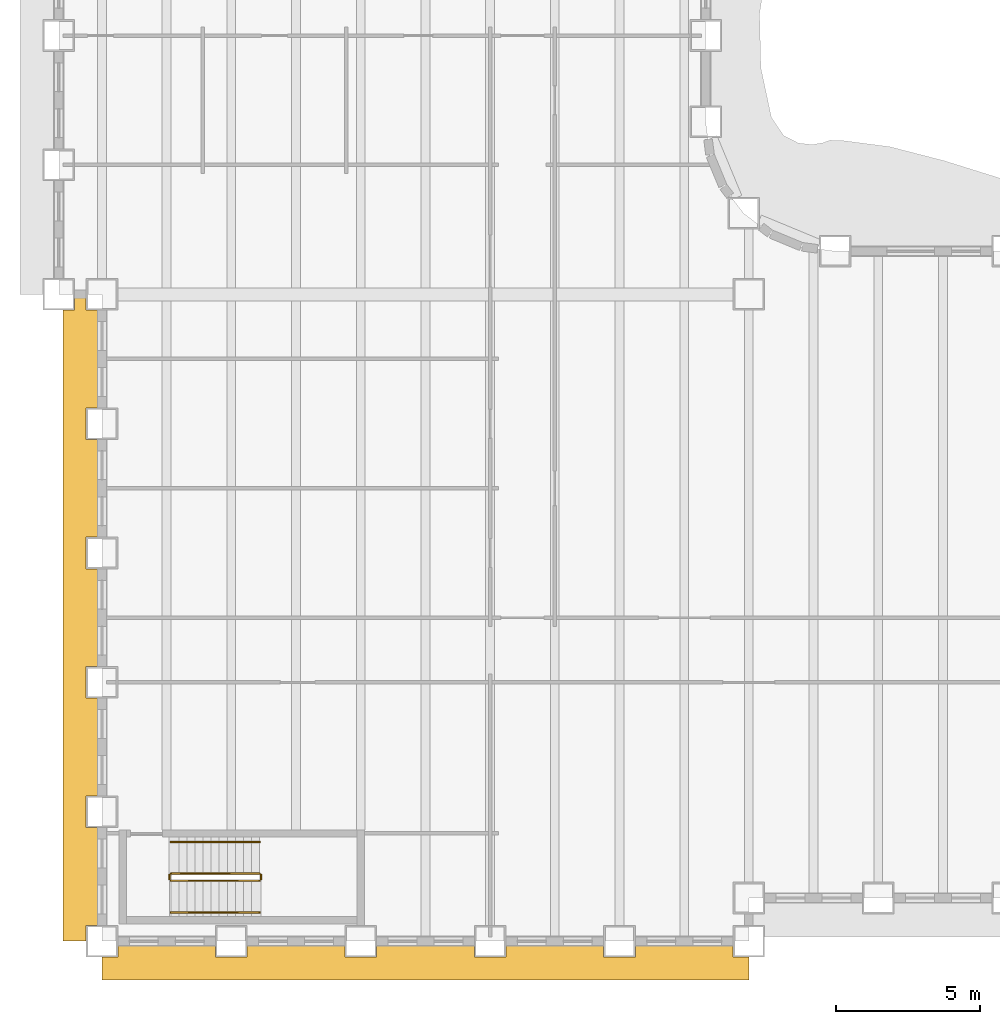
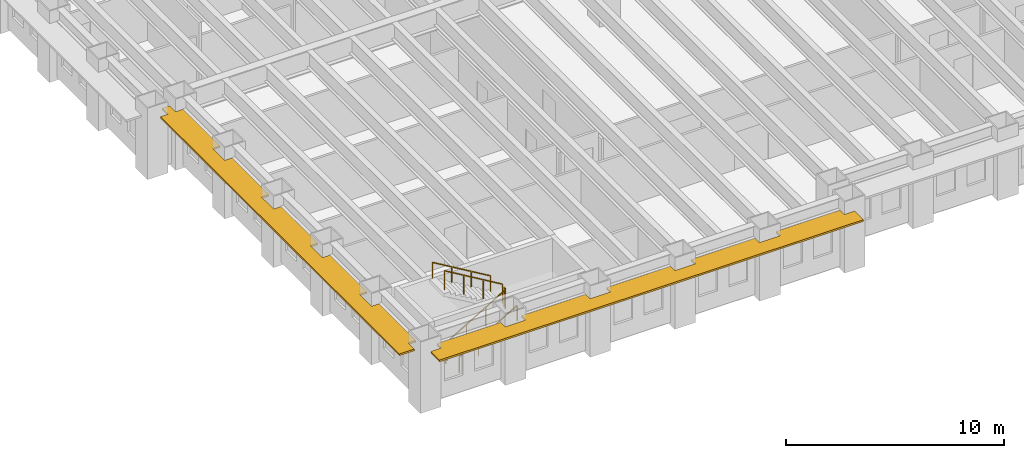
# One storey, part 10 of 15: 6 railings, 2 shading devices.
"""IFC4 building model written with IfcOpenShell, lengths in metres."""

from ifc_helpers import new_model, si_unit, direction, frame, origin, origin_2d, place, context, subcontext, project, spatial, polyline, rectangle, outline, extrude, material, layer, layer_set, type_object, element, save


model = new_model("IFC4")

# Units and contexts
model_context = context("Model", 3, precision=1e-05, world=origin(), true_north=direction((0.0, 1.0)))
body_context = subcontext(model_context, "Body", "Model", "MODEL_VIEW")
ifc_project = project(units=[si_unit("LENGTHUNIT", "METRE"), si_unit("AREAUNIT", "SQUARE_METRE"), si_unit("VOLUMEUNIT", "CUBIC_METRE"), si_unit("PLANEANGLEUNIT", "RADIAN"), si_unit("MASSUNIT", "GRAM", prefix="KILO")], contexts=[model_context])

# Site, building, storey
site_placement = place(None, origin())
site = spatial("IfcSite", under=ifc_project, at=site_placement, CompositionType="ELEMENT")
building_placement = place(site_placement, origin())
building = spatial("IfcBuilding", under=site, at=building_placement, Name="Sennacour Bend Tower", CompositionType="ELEMENT")
storey_placement = place(building_placement, frame((0.0, 0.0, 65.0)))
storey = spatial("IfcBuildingStorey", under=building, at=storey_placement, Name="L14", CompositionType="ELEMENT", Elevation=65.0)

# Railings
ifc_material_1 = material(Name="Stainless steel", Category="steel")
railing_type_1 = type_object("IfcRailingType", Name="RL-GUARD-1100", PredefinedType="GUARDRAIL", material=ifc_material_1)
railing_1_placement = place(storey_placement, frame((2.39990234375, 2.10009765625, 0.166748046875)))
element("IfcRailing", 1, at=railing_1_placement, inside=storey, type_object=railing_type_1, Name="L14 SK1 stair guard 1", PredefinedType="GUARDRAIL", context=body_context, shape_type="SweptSolid", body=[
    extrude(rectangle(XDim=0.048095703125, YDim=0.048095703125, at=origin_2d()), frame((0.0, 0.0, 1.076171875), z_axis=(0.859308565015, 0.0, 0.511457515432), x_axis=(0.0, 1.0, 0.0)), (0.0, 0.0, 1.0), 3.58447265625),
    extrude(rectangle(XDim=0.0419921875, YDim=0.0419921875, at=origin_2d()), origin(), (0.0, 0.0, 1.0), 1.052001953125),
    extrude(rectangle(XDim=0.0419921875, YDim=0.0419921875, at=origin_2d()), frame((1.026611328125, 0.0, 0.611083984375)), (0.0, 0.0, 1.0), 1.052001953125),
    extrude(rectangle(XDim=0.0419921875, YDim=0.0419921875, at=origin_2d()), frame((2.053466796875, 0.0, 1.22216796875)), (0.0, 0.0, 1.0), 1.052001953125),
    extrude(rectangle(XDim=0.0419921875, YDim=0.0419921875, at=origin_2d()), frame((3.080078125, 0.0, 1.833251953125)), (0.0, 0.0, 1.0), 1.052001953125),
])
railing_2_placement = place(storey_placement, frame((5.530029296875, 2.14990234375, 2.0)))
element("IfcRailing", 2, at=railing_2_placement, inside=storey, type_object=railing_type_1, Name="L14 SK1 stair guard 2", PredefinedType="GUARDRAIL", context=body_context, shape_type="SweptSolid", body=[
    extrude(rectangle(XDim=0.048095703125, YDim=0.048095703125, at=origin_2d()), frame((0.0, 0.0, 1.076171875), z_axis=(0.0, 1.0, 0.0), x_axis=(-1.0, 0.0, 0.0)), (0.0, 0.0, 1.0), 0.150146484375),
    extrude(rectangle(XDim=0.0419921875, YDim=0.0419921875, at=origin_2d()), origin(), (0.0, 0.0, 1.0), 1.052001953125),
    extrude(rectangle(XDim=0.0419921875, YDim=0.0419921875, at=origin_2d()), frame((0.0, 0.150146484375, 0.0)), (0.0, 0.0, 1.0), 1.052001953125),
])
railing_3_placement = place(storey_placement, frame((5.47998046875, 2.35009765625, 2.166748046875)))
element("IfcRailing", 3, at=railing_3_placement, inside=storey, type_object=railing_type_1, Name="L14 SK1 stair guard 3", PredefinedType="GUARDRAIL", context=body_context, shape_type="SweptSolid", body=[
    extrude(rectangle(XDim=0.048095703125, YDim=0.048095703125, at=origin_2d()), frame((0.0, 0.0, 1.076171875), z_axis=(-0.859308565015, 0.0, 0.511457515432), x_axis=(0.0, -1.0, 0.0)), (0.0, 0.0, 1.0), 3.58447265625),
    extrude(rectangle(XDim=0.0419921875, YDim=0.0419921875, at=origin_2d()), origin(), (0.0, 0.0, 1.0), 1.052001953125),
    extrude(rectangle(XDim=0.0419921875, YDim=0.0419921875, at=origin_2d()), frame((-1.026611328125, 0.0, 0.611083984375)), (0.0, 0.0, 1.0), 1.052001953125),
    extrude(rectangle(XDim=0.0419921875, YDim=0.0419921875, at=origin_2d()), frame((-2.053466796875, 0.0, 1.22216796875)), (0.0, 0.0, 1.0), 1.052001953125),
    extrude(rectangle(XDim=0.0419921875, YDim=0.0419921875, at=origin_2d()), frame((-3.080078125, 0.0, 1.833251953125)), (0.0, 0.0, 1.0), 1.052001953125),
])
railing_4_placement = place(storey_placement, frame((2.35009765625, 2.14990234375, 0.0)))
element("IfcRailing", 4, at=railing_4_placement, inside=storey, type_object=railing_type_1, Name="L14 SK1 stair guard 4", PredefinedType="GUARDRAIL", context=body_context, shape_type="SweptSolid", body=[
    extrude(rectangle(XDim=0.048095703125, YDim=0.048095703125, at=origin_2d()), frame((0.0, 0.0, 1.076171875), z_axis=(0.0, 1.0, 0.0), x_axis=(-1.0, 0.0, 0.0)), (0.0, 0.0, 1.0), 0.150146484375),
    extrude(rectangle(XDim=0.0419921875, YDim=0.0419921875, at=origin_2d()), origin(), (0.0, 0.0, 1.0), 1.052001953125),
    extrude(rectangle(XDim=0.0419921875, YDim=0.0419921875, at=origin_2d()), frame((0.0, 0.150146484375, 0.0)), (0.0, 0.0, 1.0), 1.052001953125),
])
railing_type_2 = type_object("IfcRailingType", Name="RL-HANDRAIL-900", PredefinedType="HANDRAIL", material=ifc_material_1)
railing_5_placement = place(storey_placement, frame((2.39990234375, 1.0, 0.166748046875)))
element("IfcRailing", 5, at=railing_5_placement, inside=storey, type_object=railing_type_2, Name="L14 SK1 stair handrail 1", PredefinedType="HANDRAIL", context=body_context, shape_type="SweptSolid", body=[
    extrude(rectangle(XDim=0.048095703125, YDim=0.048095703125, at=origin_2d()), frame((0.0, 0.0, 0.8759765625), z_axis=(0.859308565015, 0.0, 0.511457515432), x_axis=(0.0, 1.0, 0.0)), (0.0, 0.0, 1.0), 3.58447265625),
    extrude(rectangle(XDim=0.0419921875, YDim=0.0419921875, at=origin_2d()), origin(), (0.0, 0.0, 1.0), 0.851806640625),
    extrude(rectangle(XDim=0.0419921875, YDim=0.0419921875, at=origin_2d()), frame((1.026611328125, 0.0, 0.611083984375)), (0.0, 0.0, 1.0), 0.851806640625),
    extrude(rectangle(XDim=0.0419921875, YDim=0.0419921875, at=origin_2d()), frame((2.053466796875, 0.0, 1.22216796875)), (0.0, 0.0, 1.0), 0.851806640625),
    extrude(rectangle(XDim=0.0419921875, YDim=0.0419921875, at=origin_2d()), frame((3.080078125, 0.0, 1.833251953125)), (0.0, 0.0, 1.0), 0.851806640625),
])
railing_6_placement = place(storey_placement, frame((5.47998046875, 3.449951171875, 2.166748046875)))
element("IfcRailing", 6, at=railing_6_placement, inside=storey, type_object=railing_type_2, Name="L14 SK1 stair handrail 2", PredefinedType="HANDRAIL", context=body_context, shape_type="SweptSolid", body=[
    extrude(rectangle(XDim=0.048095703125, YDim=0.048095703125, at=origin_2d()), frame((0.0, 0.0, 0.8759765625), z_axis=(-0.859308565015, 0.0, 0.511457515432), x_axis=(0.0, -1.0, 0.0)), (0.0, 0.0, 1.0), 3.58447265625),
    extrude(rectangle(XDim=0.0419921875, YDim=0.0419921875, at=origin_2d()), origin(), (0.0, 0.0, 1.0), 0.851806640625),
    extrude(rectangle(XDim=0.0419921875, YDim=0.0419921875, at=origin_2d()), frame((-1.026611328125, 0.0, 0.611083984375)), (0.0, 0.0, 1.0), 0.851806640625),
    extrude(rectangle(XDim=0.0419921875, YDim=0.0419921875, at=origin_2d()), frame((-2.053466796875, 0.0, 1.22216796875)), (0.0, 0.0, 1.0), 0.851806640625),
    extrude(rectangle(XDim=0.0419921875, YDim=0.0419921875, at=origin_2d()), frame((-3.080078125, 0.0, 1.833251953125)), (0.0, 0.0, 1.0), 0.851806640625),
])

# Shading devices
ifc_material_2 = material(Name="Bronze anodised aluminium", Category="aluminium")
ifc_layer = layer(ifc_material_2, 0.10009765625, Name="Bronze anodised aluminium", Category="aluminium")
ifc_layer_set = layer_set([ifc_layer], Name="Bronze anodised aluminium")
shading_device_type = type_object("IfcShadingDeviceType", Name="SUNSHADE BAND STRAIGHT", PredefinedType="USERDEFINED", material=ifc_layer_set)
shading_device_1_placement = place(storey_placement, frame((0.0, 0.0, 3.0439453125)))
element("IfcShadingDevice", 7, at=shading_device_1_placement, inside=storey, type_object=shading_device_type, Name="Sunshade band L14 K outer face", ObjectType="SUNSHADE", PredefinedType="USERDEFINED", context=body_context, shape_type="SweptSolid", body=[
    extrude(outline(polyline([(3.949951171875, -0.14990234375), (3.949951171875, -0.550048828125), (5.050048828125, -0.550048828125), (5.050048828125, -0.14990234375), (8.449951171875, -0.14990234375), (8.449951171875, -0.550048828125), (9.550048828125, -0.550048828125), (9.550048828125, -0.14990234375), (12.949951171875, -0.14990234375), (12.949951171875, -0.550048828125), (14.050048828125, -0.550048828125), (14.050048828125, -0.14990234375), (17.449951171875, -0.14990234375), (17.449951171875, -0.550048828125), (18.550048828125, -0.550048828125), (18.550048828125, -0.14990234375), (21.949951171875, -0.14990234375), (21.949951171875, -0.550048828125), (22.5, -0.550048828125), (22.5, -1.35009765625), (0.0, -1.35009765625), (0.0, -0.550048828125), (0.550048828125, -0.550048828125), (0.550048828125, -0.14990234375), (3.949951171875, -0.14990234375)])), origin(), (0.0, 0.0, 1.0), 0.10009765625),
])
shading_device_2_placement = place(storey_placement, frame((0.0, 0.0, 3.0439453125)))
element("IfcShadingDevice", 8, at=shading_device_2_placement, inside=storey, type_object=shading_device_type, Name="Sunshade band L14 K outer face", ObjectType="SUNSHADE", PredefinedType="USERDEFINED", context=body_context, shape_type="SweptSolid", body=[
    extrude(outline(polyline([(-0.14990234375, 18.550048828125), (-0.550048828125, 18.550048828125), (-0.550048828125, 17.449951171875), (-0.14990234375, 17.449951171875), (-0.14990234375, 14.050048828125), (-0.550048828125, 14.050048828125), (-0.550048828125, 12.949951171875), (-0.14990234375, 12.949951171875), (-0.14990234375, 9.550048828125), (-0.550048828125, 9.550048828125), (-0.550048828125, 8.449951171875), (-0.14990234375, 8.449951171875), (-0.14990234375, 5.050048828125), (-0.550048828125, 5.050048828125), (-0.550048828125, 3.949951171875), (-0.14990234375, 3.949951171875), (-0.14990234375, 0.550048828125), (-0.550048828125, 0.550048828125), (-0.550048828125, 0.0), (-1.35009765625, 0.0), (-1.35009765625, 21.949951171875), (-0.949951171875, 21.949951171875), (-0.949951171875, 22.5), (-0.550048828125, 22.5), (-0.550048828125, 21.949951171875), (-0.14990234375, 21.949951171875), (-0.14990234375, 18.550048828125)])), origin(), (0.0, 0.0, 1.0), 0.10009765625),
])

save(model, "model.ifc")
